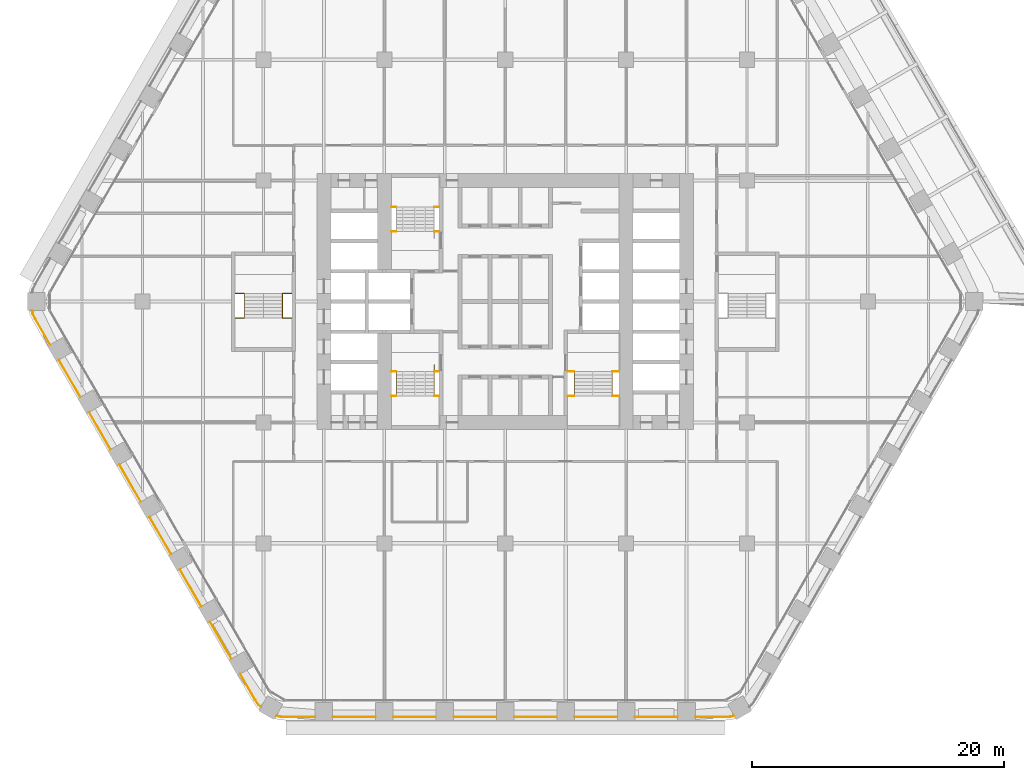
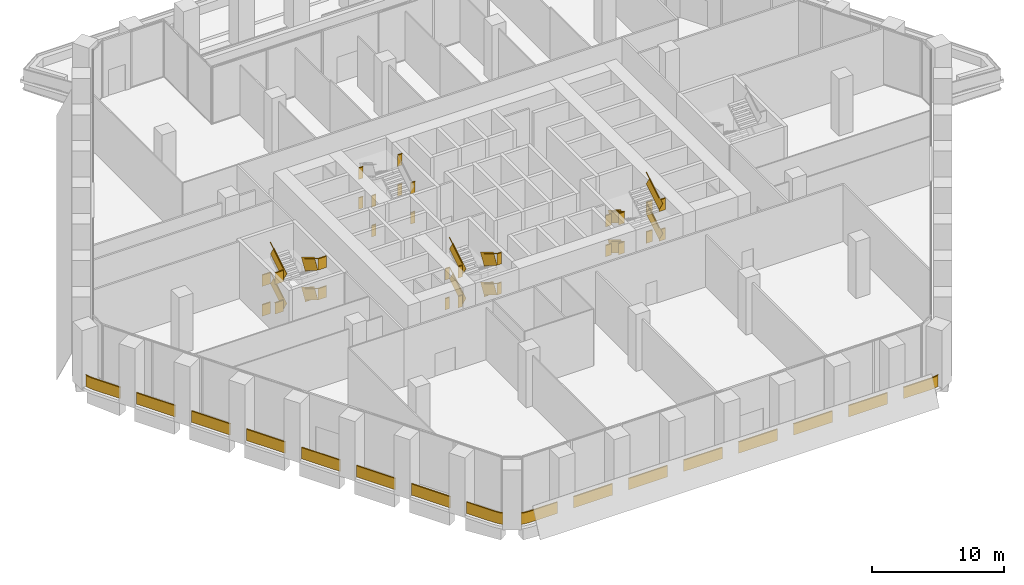
# One storey, part 28 of 30: 9 railings.
"""IFC4 building model written with IfcOpenShell, lengths in metres."""

from ifc_helpers import new_model, si_unit, direction, frame, frame_2d, origin, origin_2d, place, context, subcontext, project, spatial, rectangle, extrude, material, type_object, element, save


model = new_model("IFC4")

# Units and contexts
model_context = context("Model", 3, precision=1e-05, world=origin(), true_north=direction((0.0, 1.0)))
body_context = subcontext(model_context, "Body", "Model", "MODEL_VIEW")
ifc_project = project(units=[si_unit("LENGTHUNIT", "METRE"), si_unit("AREAUNIT", "SQUARE_METRE"), si_unit("VOLUMEUNIT", "CUBIC_METRE"), si_unit("PLANEANGLEUNIT", "RADIAN"), si_unit("MASSUNIT", "GRAM", prefix="KILO")], contexts=[model_context])

# Site, building, storey
site_placement = place(None, origin())
site = spatial("IfcSite", under=ifc_project, at=site_placement, CompositionType="ELEMENT")
building_placement = place(site_placement, origin())
building = spatial("IfcBuilding", under=site, at=building_placement, Name="Kolab Exchange Tower", CompositionType="ELEMENT")
storey_placement = place(building_placement, frame((0.0, 0.0, 38.89990234375)))
storey = spatial("IfcBuildingStorey", under=building, at=storey_placement, Name="L07", CompositionType="ELEMENT", Elevation=38.89990234375)

# Railings
ifc_material_1 = material(Name="Stainless steel 316", Category="steel")
railing_type_1 = type_object("IfcRailingType", Name="GUARD 1100", PredefinedType="GUARDRAIL", material=ifc_material_1)
railing_1_placement = place(storey_placement, frame((-9.050048828125, 5.550048828125, 0.0)))
element("IfcRailing", 1, at=railing_1_placement, inside=storey, type_object=railing_type_1, Name="Guard ST1", PredefinedType="GUARDRAIL", context=body_context, shape_type="SweptSolid", body=[
    extrude(rectangle(XDim=0.05, YDim=0.05, at=origin_2d()), frame((0.0, 0.0, 1.0751953125), z_axis=(1.0, 0.0, 0.0), x_axis=(0.0, 1.0, 0.0)), (0.0, 0.0, 1.0), 0.39013671875),
    extrude(rectangle(XDim=0.012, YDim=1.05009765625, at=frame_2d((0.0, 0.525146484375))), frame((0.0, 0.0, 0.0), z_axis=(1.0, 0.0, 0.0), x_axis=(0.0, 1.0, 0.0)), (0.0, 0.0, 1.0), 0.39013671875),
    extrude(rectangle(XDim=0.05, YDim=0.05, at=origin_2d()), frame((3.41015625, 0.0, 1.0751953125), z_axis=(1.0, 0.0, 0.0), x_axis=(0.0, 1.0, 0.0)), (0.0, 0.0, 1.0), 0.389892578125),
    extrude(rectangle(XDim=0.012, YDim=1.05009765625, at=frame_2d((0.0, 0.525146484375))), frame((3.41015625, 0.0, 0.0), z_axis=(1.0, 0.0, 0.0), x_axis=(0.0, 1.0, 0.0)), (0.0, 0.0, 1.0), 0.389892578125),
    extrude(rectangle(XDim=0.05, YDim=0.05, at=origin_2d()), frame((0.0, 1.9599609375, 2.4501953125), z_axis=(1.0, 0.0, 0.0), x_axis=(0.0, 1.0, 0.0)), (0.0, 0.0, 1.0), 0.39013671875),
    extrude(rectangle(XDim=0.012, YDim=1.05009765625, at=frame_2d((0.0, 0.525146484375))), frame((0.0, 1.9599609375, 1.375), z_axis=(1.0, 0.0, 0.0), x_axis=(0.0, 1.0, 0.0)), (0.0, 0.0, 1.0), 0.39013671875),
    extrude(rectangle(XDim=0.05, YDim=0.05, at=origin_2d()), frame((3.41015625, 1.9599609375, 2.4501953125), z_axis=(1.0, 0.0, 0.0), x_axis=(0.0, 1.0, 0.0)), (0.0, 0.0, 1.0), 0.389892578125),
    extrude(rectangle(XDim=0.012, YDim=1.05009765625, at=frame_2d((0.0, 0.525146484375))), frame((3.41015625, 1.9599609375, 1.375), z_axis=(1.0, 0.0, 0.0), x_axis=(0.0, 1.0, 0.0)), (0.0, 0.0, 1.0), 0.389892578125),
    extrude(rectangle(XDim=0.05, YDim=0.05, at=origin_2d()), frame((0.0, 0.0, 3.8251953125), z_axis=(1.0, 0.0, 0.0), x_axis=(0.0, 1.0, 0.0)), (0.0, 0.0, 1.0), 0.39013671875),
    extrude(rectangle(XDim=0.012, YDim=1.05009765625, at=frame_2d((0.0, 0.525146484375))), frame((0.0, 0.0, 2.75), z_axis=(1.0, 0.0, 0.0), x_axis=(0.0, 1.0, 0.0)), (0.0, 0.0, 1.0), 0.39013671875),
    extrude(rectangle(XDim=0.05, YDim=0.05, at=origin_2d()), frame((3.41015625, 0.0, 3.8251953125), z_axis=(1.0, 0.0, 0.0), x_axis=(0.0, 1.0, 0.0)), (0.0, 0.0, 1.0), 0.389892578125),
    extrude(rectangle(XDim=0.012, YDim=1.05009765625, at=frame_2d((0.0, 0.525146484375))), frame((3.41015625, 0.0, 2.75), z_axis=(1.0, 0.0, 0.0), x_axis=(0.0, 1.0, 0.0)), (0.0, 0.0, 1.0), 0.389892578125),
    extrude(rectangle(XDim=0.05, YDim=0.05, at=origin_2d()), frame((0.0, 1.9599609375, 5.2001953125), z_axis=(1.0, 0.0, 0.0), x_axis=(0.0, 1.0, 0.0)), (0.0, 0.0, 1.0), 0.39013671875),
    extrude(rectangle(XDim=0.012, YDim=1.05009765625, at=frame_2d((0.0, 0.525146484375))), frame((0.0, 1.9599609375, 4.125), z_axis=(1.0, 0.0, 0.0), x_axis=(0.0, 1.0, 0.0)), (0.0, 0.0, 1.0), 0.39013671875),
    extrude(rectangle(XDim=0.05, YDim=0.05, at=origin_2d()), frame((3.41015625, 1.9599609375, 5.2001953125), z_axis=(1.0, 0.0, 0.0), x_axis=(0.0, 1.0, 0.0)), (0.0, 0.0, 1.0), 0.389892578125),
    extrude(rectangle(XDim=0.012, YDim=1.05009765625, at=frame_2d((0.0, 0.525146484375))), frame((3.41015625, 1.9599609375, 4.125), z_axis=(1.0, 0.0, 0.0), x_axis=(0.0, 1.0, 0.0)), (0.0, 0.0, 1.0), 0.389892578125),
])
railing_2_placement = place(storey_placement, frame((-9.050048828125, -5.550048828125, 0.0)))
element("IfcRailing", 2, at=railing_2_placement, inside=storey, type_object=railing_type_1, Name="Guard ST3", PredefinedType="GUARDRAIL", context=body_context, shape_type="SweptSolid", body=[
    extrude(rectangle(XDim=0.05, YDim=0.05, at=origin_2d()), frame((0.0, 0.0, 1.0751953125), z_axis=(1.0, 0.0, 0.0), x_axis=(0.0, 1.0, 0.0)), (0.0, 0.0, 1.0), 0.39013671875),
    extrude(rectangle(XDim=0.012, YDim=1.05009765625, at=frame_2d((0.0, 0.525146484375))), frame((0.0, 0.0, 0.0), z_axis=(1.0, 0.0, 0.0), x_axis=(0.0, 1.0, 0.0)), (0.0, 0.0, 1.0), 0.39013671875),
    extrude(rectangle(XDim=0.05, YDim=0.05, at=origin_2d()), frame((3.41015625, 0.0, 1.0751953125), z_axis=(1.0, 0.0, 0.0), x_axis=(0.0, 1.0, 0.0)), (0.0, 0.0, 1.0), 0.389892578125),
    extrude(rectangle(XDim=0.012, YDim=1.05009765625, at=frame_2d((0.0, 0.525146484375))), frame((3.41015625, 0.0, 0.0), z_axis=(1.0, 0.0, 0.0), x_axis=(0.0, 1.0, 0.0)), (0.0, 0.0, 1.0), 0.389892578125),
    extrude(rectangle(XDim=0.05, YDim=0.05, at=origin_2d()), frame((0.0, -1.9599609375, 2.4501953125), z_axis=(1.0, 0.0, 0.0), x_axis=(0.0, 1.0, 0.0)), (0.0, 0.0, 1.0), 0.39013671875),
    extrude(rectangle(XDim=0.012, YDim=1.05009765625, at=frame_2d((0.0, 0.525146484375))), frame((0.0, -1.9599609375, 1.375), z_axis=(1.0, 0.0, 0.0), x_axis=(0.0, 1.0, 0.0)), (0.0, 0.0, 1.0), 0.39013671875),
    extrude(rectangle(XDim=0.05, YDim=0.05, at=origin_2d()), frame((3.41015625, -1.9599609375, 2.4501953125), z_axis=(1.0, 0.0, 0.0), x_axis=(0.0, 1.0, 0.0)), (0.0, 0.0, 1.0), 0.389892578125),
    extrude(rectangle(XDim=0.012, YDim=1.05009765625, at=frame_2d((0.0, 0.525146484375))), frame((3.41015625, -1.9599609375, 1.375), z_axis=(1.0, 0.0, 0.0), x_axis=(0.0, 1.0, 0.0)), (0.0, 0.0, 1.0), 0.389892578125),
    extrude(rectangle(XDim=0.05, YDim=0.05, at=origin_2d()), frame((0.0, 0.0, 3.8251953125), z_axis=(1.0, 0.0, 0.0), x_axis=(0.0, 1.0, 0.0)), (0.0, 0.0, 1.0), 0.39013671875),
    extrude(rectangle(XDim=0.012, YDim=1.05009765625, at=frame_2d((0.0, 0.525146484375))), frame((0.0, 0.0, 2.75), z_axis=(1.0, 0.0, 0.0), x_axis=(0.0, 1.0, 0.0)), (0.0, 0.0, 1.0), 0.39013671875),
    extrude(rectangle(XDim=0.05, YDim=0.05, at=origin_2d()), frame((3.41015625, 0.0, 3.8251953125), z_axis=(1.0, 0.0, 0.0), x_axis=(0.0, 1.0, 0.0)), (0.0, 0.0, 1.0), 0.389892578125),
    extrude(rectangle(XDim=0.012, YDim=1.05009765625, at=frame_2d((0.0, 0.525146484375))), frame((3.41015625, 0.0, 2.75), z_axis=(1.0, 0.0, 0.0), x_axis=(0.0, 1.0, 0.0)), (0.0, 0.0, 1.0), 0.389892578125),
    extrude(rectangle(XDim=0.05, YDim=0.05, at=origin_2d()), frame((0.0, -1.9599609375, 5.2001953125), z_axis=(1.0, 0.0, 0.0), x_axis=(0.0, 1.0, 0.0)), (0.0, 0.0, 1.0), 0.39013671875),
    extrude(rectangle(XDim=0.012, YDim=1.05009765625, at=frame_2d((0.0, 0.525146484375))), frame((0.0, -1.9599609375, 4.125), z_axis=(1.0, 0.0, 0.0), x_axis=(0.0, 1.0, 0.0)), (0.0, 0.0, 1.0), 0.39013671875),
    extrude(rectangle(XDim=0.05, YDim=0.05, at=origin_2d()), frame((3.41015625, -1.9599609375, 5.2001953125), z_axis=(1.0, 0.0, 0.0), x_axis=(0.0, 1.0, 0.0)), (0.0, 0.0, 1.0), 0.389892578125),
    extrude(rectangle(XDim=0.012, YDim=1.05009765625, at=frame_2d((0.0, 0.525146484375))), frame((3.41015625, -1.9599609375, 4.125), z_axis=(1.0, 0.0, 0.0), x_axis=(0.0, 1.0, 0.0)), (0.0, 0.0, 1.0), 0.389892578125),
])
railing_3_placement = place(storey_placement, frame((-5.639892578125, -5.550048828125, 0.172119140625)))
element("IfcRailing", 3, at=railing_3_placement, inside=storey, type_object=railing_type_1, Name="Handrail guard ST3", PredefinedType="GUARDRAIL", context=body_context, shape_type="SweptSolid", body=[
    extrude(rectangle(XDim=0.05, YDim=0.05, at=origin_2d()), frame((0.0, 0.0, 1.0751953125), z_axis=(0.0, -0.852288308005, 0.523072308613), x_axis=(1.0, 0.0, 0.0)), (0.0, 0.0, 1.0), 2.299560546875),
    extrude(rectangle(XDim=0.012, YDim=1.05009765625, at=frame_2d((0.0, 0.525146484375))), frame((0.0, 0.0, 0.0), z_axis=(0.0, -0.852288308005, 0.523072308613), x_axis=(1.0, 0.0, 0.0)), (0.0, 0.0, 1.0), 2.299560546875),
    extrude(rectangle(XDim=0.05, YDim=0.05, at=origin_2d()), frame((-3.02001953125, -1.9599609375, 2.4501953125), z_axis=(0.0, 0.852288308005, 0.523072308613), x_axis=(-1.0, 0.0, 0.0)), (0.0, 0.0, 1.0), 2.299560546875),
    extrude(rectangle(XDim=0.012, YDim=1.05009765625, at=frame_2d((0.0, 0.525146484375))), frame((-3.02001953125, -1.9599609375, 1.375), z_axis=(0.0, 0.852288308005, 0.523072308613), x_axis=(-1.0, 0.0, 0.0)), (0.0, 0.0, 1.0), 2.299560546875),
    extrude(rectangle(XDim=0.05, YDim=0.05, at=origin_2d()), frame((0.0, 0.0, 3.8251953125), z_axis=(0.0, -0.852288308005, 0.523072308613), x_axis=(1.0, 0.0, 0.0)), (0.0, 0.0, 1.0), 2.299560546875),
    extrude(rectangle(XDim=0.012, YDim=1.05009765625, at=frame_2d((0.0, 0.525146484375))), frame((0.0, 0.0, 2.75), z_axis=(0.0, -0.852288308005, 0.523072308613), x_axis=(1.0, 0.0, 0.0)), (0.0, 0.0, 1.0), 2.299560546875),
    extrude(rectangle(XDim=0.05, YDim=0.05, at=origin_2d()), frame((-3.02001953125, -1.9599609375, 5.2001953125), z_axis=(0.0, 0.852288308005, 0.523072308613), x_axis=(-1.0, 0.0, 0.0)), (0.0, 0.0, 1.0), 2.299560546875),
    extrude(rectangle(XDim=0.012, YDim=1.05009765625, at=frame_2d((0.0, 0.525146484375))), frame((-3.02001953125, -1.9599609375, 4.125), z_axis=(0.0, 0.852288308005, 0.523072308613), x_axis=(-1.0, 0.0, 0.0)), (0.0, 0.0, 1.0), 2.299560546875),
])
railing_4_placement = place(storey_placement, frame((4.949951171875, -5.550048828125, 0.0)))
element("IfcRailing", 4, at=railing_4_placement, inside=storey, type_object=railing_type_1, Name="Guard ST2", PredefinedType="GUARDRAIL", context=body_context, shape_type="SweptSolid", body=[
    extrude(rectangle(XDim=0.05, YDim=0.05, at=origin_2d()), frame((0.0, 0.0, 1.0751953125), z_axis=(1.0, 0.0, 0.0), x_axis=(0.0, 1.0, 0.0)), (0.0, 0.0, 1.0), 0.5400390625),
    extrude(rectangle(XDim=0.012, YDim=1.05009765625, at=frame_2d((0.0, 0.525146484375))), frame((0.0, 0.0, 0.0), z_axis=(1.0, 0.0, 0.0), x_axis=(0.0, 1.0, 0.0)), (0.0, 0.0, 1.0), 0.5400390625),
    extrude(rectangle(XDim=0.05, YDim=0.05, at=origin_2d()), frame((3.56005859375, 0.0, 1.0751953125), z_axis=(1.0, 0.0, 0.0), x_axis=(0.0, 1.0, 0.0)), (0.0, 0.0, 1.0), 0.5400390625),
    extrude(rectangle(XDim=0.012, YDim=1.05009765625, at=frame_2d((0.0, 0.525146484375))), frame((3.56005859375, 0.0, 0.0), z_axis=(1.0, 0.0, 0.0), x_axis=(0.0, 1.0, 0.0)), (0.0, 0.0, 1.0), 0.5400390625),
    extrude(rectangle(XDim=0.05, YDim=0.05, at=origin_2d()), frame((0.0, -1.9599609375, 2.4501953125), z_axis=(1.0, 0.0, 0.0), x_axis=(0.0, 1.0, 0.0)), (0.0, 0.0, 1.0), 0.5400390625),
    extrude(rectangle(XDim=0.012, YDim=1.05009765625, at=frame_2d((0.0, 0.525146484375))), frame((0.0, -1.9599609375, 1.375), z_axis=(1.0, 0.0, 0.0), x_axis=(0.0, 1.0, 0.0)), (0.0, 0.0, 1.0), 0.5400390625),
    extrude(rectangle(XDim=0.05, YDim=0.05, at=origin_2d()), frame((3.56005859375, -1.9599609375, 2.4501953125), z_axis=(1.0, 0.0, 0.0), x_axis=(0.0, 1.0, 0.0)), (0.0, 0.0, 1.0), 0.5400390625),
    extrude(rectangle(XDim=0.012, YDim=1.05009765625, at=frame_2d((0.0, 0.525146484375))), frame((3.56005859375, -1.9599609375, 1.375), z_axis=(1.0, 0.0, 0.0), x_axis=(0.0, 1.0, 0.0)), (0.0, 0.0, 1.0), 0.5400390625),
    extrude(rectangle(XDim=0.05, YDim=0.05, at=origin_2d()), frame((0.0, 0.0, 3.8251953125), z_axis=(1.0, 0.0, 0.0), x_axis=(0.0, 1.0, 0.0)), (0.0, 0.0, 1.0), 0.5400390625),
    extrude(rectangle(XDim=0.012, YDim=1.05009765625, at=frame_2d((0.0, 0.525146484375))), frame((0.0, 0.0, 2.75), z_axis=(1.0, 0.0, 0.0), x_axis=(0.0, 1.0, 0.0)), (0.0, 0.0, 1.0), 0.5400390625),
    extrude(rectangle(XDim=0.05, YDim=0.05, at=origin_2d()), frame((3.56005859375, 0.0, 3.8251953125), z_axis=(1.0, 0.0, 0.0), x_axis=(0.0, 1.0, 0.0)), (0.0, 0.0, 1.0), 0.5400390625),
    extrude(rectangle(XDim=0.012, YDim=1.05009765625, at=frame_2d((0.0, 0.525146484375))), frame((3.56005859375, 0.0, 2.75), z_axis=(1.0, 0.0, 0.0), x_axis=(0.0, 1.0, 0.0)), (0.0, 0.0, 1.0), 0.5400390625),
    extrude(rectangle(XDim=0.05, YDim=0.05, at=origin_2d()), frame((0.0, -1.9599609375, 5.2001953125), z_axis=(1.0, 0.0, 0.0), x_axis=(0.0, 1.0, 0.0)), (0.0, 0.0, 1.0), 0.5400390625),
    extrude(rectangle(XDim=0.012, YDim=1.05009765625, at=frame_2d((0.0, 0.525146484375))), frame((0.0, -1.9599609375, 4.125), z_axis=(1.0, 0.0, 0.0), x_axis=(0.0, 1.0, 0.0)), (0.0, 0.0, 1.0), 0.5400390625),
    extrude(rectangle(XDim=0.05, YDim=0.05, at=origin_2d()), frame((3.56005859375, -1.9599609375, 5.2001953125), z_axis=(1.0, 0.0, 0.0), x_axis=(0.0, 1.0, 0.0)), (0.0, 0.0, 1.0), 0.5400390625),
    extrude(rectangle(XDim=0.012, YDim=1.05009765625, at=frame_2d((0.0, 0.525146484375))), frame((3.56005859375, -1.9599609375, 4.125), z_axis=(1.0, 0.0, 0.0), x_axis=(0.0, 1.0, 0.0)), (0.0, 0.0, 1.0), 0.5400390625),
])
railing_5_placement = place(storey_placement, frame((5.489990234375, -5.550048828125, 0.172119140625)))
element("IfcRailing", 5, at=railing_5_placement, inside=storey, type_object=railing_type_1, Name="Handrail guard ST2", PredefinedType="GUARDRAIL", context=body_context, shape_type="SweptSolid", body=[
    extrude(rectangle(XDim=0.05, YDim=0.05, at=origin_2d()), frame((0.0, 0.0, 1.0751953125), z_axis=(0.0, -0.852288308005, 0.523072308613), x_axis=(1.0, 0.0, 0.0)), (0.0, 0.0, 1.0), 2.299560546875),
    extrude(rectangle(XDim=0.012, YDim=1.05009765625, at=frame_2d((0.0, 0.525146484375))), frame((0.0, 0.0, 0.0), z_axis=(0.0, -0.852288308005, 0.523072308613), x_axis=(1.0, 0.0, 0.0)), (0.0, 0.0, 1.0), 2.299560546875),
    extrude(rectangle(XDim=0.05, YDim=0.05, at=origin_2d()), frame((3.02001953125, -1.9599609375, 2.4501953125), z_axis=(0.0, 0.852288308005, 0.523072308613), x_axis=(-1.0, 0.0, 0.0)), (0.0, 0.0, 1.0), 2.299560546875),
    extrude(rectangle(XDim=0.012, YDim=1.05009765625, at=frame_2d((0.0, 0.525146484375))), frame((3.02001953125, -1.9599609375, 1.375), z_axis=(0.0, 0.852288308005, 0.523072308613), x_axis=(-1.0, 0.0, 0.0)), (0.0, 0.0, 1.0), 2.299560546875),
    extrude(rectangle(XDim=0.05, YDim=0.05, at=origin_2d()), frame((0.0, 0.0, 3.8251953125), z_axis=(0.0, -0.852288308005, 0.523072308613), x_axis=(1.0, 0.0, 0.0)), (0.0, 0.0, 1.0), 2.299560546875),
    extrude(rectangle(XDim=0.012, YDim=1.05009765625, at=frame_2d((0.0, 0.525146484375))), frame((0.0, 0.0, 2.75), z_axis=(0.0, -0.852288308005, 0.523072308613), x_axis=(1.0, 0.0, 0.0)), (0.0, 0.0, 1.0), 2.299560546875),
    extrude(rectangle(XDim=0.05, YDim=0.05, at=origin_2d()), frame((3.02001953125, -1.9599609375, 5.2001953125), z_axis=(0.0, 0.852288308005, 0.523072308613), x_axis=(-1.0, 0.0, 0.0)), (0.0, 0.0, 1.0), 2.299560546875),
    extrude(rectangle(XDim=0.012, YDim=1.05009765625, at=frame_2d((0.0, 0.525146484375))), frame((3.02001953125, -1.9599609375, 4.125), z_axis=(0.0, 0.852288308005, 0.523072308613), x_axis=(-1.0, 0.0, 0.0)), (0.0, 0.0, 1.0), 2.299560546875),
])
railing_6_placement = place(storey_placement, frame((-21.449951171875, 0.64990234375, 0.0)))
element("IfcRailing", 6, at=railing_6_placement, inside=storey, type_object=railing_type_1, Name="Guard ST5", PredefinedType="GUARDRAIL", context=body_context, shape_type="SweptSolid", body=[
    extrude(rectangle(XDim=0.05, YDim=0.05, at=origin_2d()), frame((0.0, 0.0, 1.0751953125), z_axis=(1.0, 0.0, 0.0), x_axis=(0.0, 1.0, 0.0)), (0.0, 0.0, 1.0), 0.739990234375),
    extrude(rectangle(XDim=0.012, YDim=1.05009765625, at=frame_2d((0.0, 0.525146484375))), frame((0.0, 0.0, 0.0), z_axis=(1.0, 0.0, 0.0), x_axis=(0.0, 1.0, 0.0)), (0.0, 0.0, 1.0), 0.739990234375),
    extrude(rectangle(XDim=0.05, YDim=0.05, at=origin_2d()), frame((3.760009765625, 0.0, 1.0751953125), z_axis=(1.0, 0.0, 0.0), x_axis=(0.0, 1.0, 0.0)), (0.0, 0.0, 1.0), 0.739990234375),
    extrude(rectangle(XDim=0.012, YDim=1.05009765625, at=frame_2d((0.0, 0.525146484375))), frame((3.760009765625, 0.0, 0.0), z_axis=(1.0, 0.0, 0.0), x_axis=(0.0, 1.0, 0.0)), (0.0, 0.0, 1.0), 0.739990234375),
    extrude(rectangle(XDim=0.05, YDim=0.05, at=origin_2d()), frame((0.0, -1.9599609375, 2.4501953125), z_axis=(1.0, 0.0, 0.0), x_axis=(0.0, 1.0, 0.0)), (0.0, 0.0, 1.0), 0.739990234375),
    extrude(rectangle(XDim=0.012, YDim=1.05009765625, at=frame_2d((0.0, 0.525146484375))), frame((0.0, -1.9599609375, 1.375), z_axis=(1.0, 0.0, 0.0), x_axis=(0.0, 1.0, 0.0)), (0.0, 0.0, 1.0), 0.739990234375),
    extrude(rectangle(XDim=0.05, YDim=0.05, at=origin_2d()), frame((3.760009765625, -1.9599609375, 2.4501953125), z_axis=(1.0, 0.0, 0.0), x_axis=(0.0, 1.0, 0.0)), (0.0, 0.0, 1.0), 0.739990234375),
    extrude(rectangle(XDim=0.012, YDim=1.05009765625, at=frame_2d((0.0, 0.525146484375))), frame((3.760009765625, -1.9599609375, 1.375), z_axis=(1.0, 0.0, 0.0), x_axis=(0.0, 1.0, 0.0)), (0.0, 0.0, 1.0), 0.739990234375),
    extrude(rectangle(XDim=0.05, YDim=0.05, at=origin_2d()), frame((0.0, 0.0, 3.8251953125), z_axis=(1.0, 0.0, 0.0), x_axis=(0.0, 1.0, 0.0)), (0.0, 0.0, 1.0), 0.739990234375),
    extrude(rectangle(XDim=0.012, YDim=1.05009765625, at=frame_2d((0.0, 0.525146484375))), frame((0.0, 0.0, 2.75), z_axis=(1.0, 0.0, 0.0), x_axis=(0.0, 1.0, 0.0)), (0.0, 0.0, 1.0), 0.739990234375),
    extrude(rectangle(XDim=0.05, YDim=0.05, at=origin_2d()), frame((3.760009765625, 0.0, 3.8251953125), z_axis=(1.0, 0.0, 0.0), x_axis=(0.0, 1.0, 0.0)), (0.0, 0.0, 1.0), 0.739990234375),
    extrude(rectangle(XDim=0.012, YDim=1.05009765625, at=frame_2d((0.0, 0.525146484375))), frame((3.760009765625, 0.0, 2.75), z_axis=(1.0, 0.0, 0.0), x_axis=(0.0, 1.0, 0.0)), (0.0, 0.0, 1.0), 0.739990234375),
    extrude(rectangle(XDim=0.05, YDim=0.05, at=origin_2d()), frame((0.0, -1.9599609375, 5.2001953125), z_axis=(1.0, 0.0, 0.0), x_axis=(0.0, 1.0, 0.0)), (0.0, 0.0, 1.0), 0.739990234375),
    extrude(rectangle(XDim=0.012, YDim=1.05009765625, at=frame_2d((0.0, 0.525146484375))), frame((0.0, -1.9599609375, 4.125), z_axis=(1.0, 0.0, 0.0), x_axis=(0.0, 1.0, 0.0)), (0.0, 0.0, 1.0), 0.739990234375),
    extrude(rectangle(XDim=0.05, YDim=0.05, at=origin_2d()), frame((3.760009765625, -1.9599609375, 5.2001953125), z_axis=(1.0, 0.0, 0.0), x_axis=(0.0, 1.0, 0.0)), (0.0, 0.0, 1.0), 0.739990234375),
    extrude(rectangle(XDim=0.012, YDim=1.05009765625, at=frame_2d((0.0, 0.525146484375))), frame((3.760009765625, -1.9599609375, 4.125), z_axis=(1.0, 0.0, 0.0), x_axis=(0.0, 1.0, 0.0)), (0.0, 0.0, 1.0), 0.739990234375),
])
railing_7_placement = place(storey_placement, frame((-17.68994140625, 0.64990234375, 0.172119140625)))
element("IfcRailing", 7, at=railing_7_placement, inside=storey, type_object=railing_type_1, Name="Handrail guard ST5", PredefinedType="GUARDRAIL", context=body_context, shape_type="SweptSolid", body=[
    extrude(rectangle(XDim=0.05, YDim=0.05, at=origin_2d()), frame((0.0, 0.0, 1.0751953125), z_axis=(0.0, -0.852288308005, 0.523072308613), x_axis=(1.0, 0.0, 0.0)), (0.0, 0.0, 1.0), 2.299560546875),
    extrude(rectangle(XDim=0.012, YDim=1.05009765625, at=frame_2d((0.0, 0.525146484375))), frame((0.0, 0.0, 0.0), z_axis=(0.0, -0.852288308005, 0.523072308613), x_axis=(1.0, 0.0, 0.0)), (0.0, 0.0, 1.0), 2.299560546875),
    extrude(rectangle(XDim=0.05, YDim=0.05, at=origin_2d()), frame((-3.02001953125, -1.9599609375, 2.4501953125), z_axis=(0.0, 0.852288308005, 0.523072308613), x_axis=(-1.0, 0.0, 0.0)), (0.0, 0.0, 1.0), 2.299560546875),
    extrude(rectangle(XDim=0.012, YDim=1.05009765625, at=frame_2d((0.0, 0.525146484375))), frame((-3.02001953125, -1.9599609375, 1.375), z_axis=(0.0, 0.852288308005, 0.523072308613), x_axis=(-1.0, 0.0, 0.0)), (0.0, 0.0, 1.0), 2.299560546875),
    extrude(rectangle(XDim=0.05, YDim=0.05, at=origin_2d()), frame((0.0, 0.0, 3.8251953125), z_axis=(0.0, -0.852288308005, 0.523072308613), x_axis=(1.0, 0.0, 0.0)), (0.0, 0.0, 1.0), 2.299560546875),
    extrude(rectangle(XDim=0.012, YDim=1.05009765625, at=frame_2d((0.0, 0.525146484375))), frame((0.0, 0.0, 2.75), z_axis=(0.0, -0.852288308005, 0.523072308613), x_axis=(1.0, 0.0, 0.0)), (0.0, 0.0, 1.0), 2.299560546875),
    extrude(rectangle(XDim=0.05, YDim=0.05, at=origin_2d()), frame((-3.02001953125, -1.9599609375, 5.2001953125), z_axis=(0.0, 0.852288308005, 0.523072308613), x_axis=(-1.0, 0.0, 0.0)), (0.0, 0.0, 1.0), 2.299560546875),
    extrude(rectangle(XDim=0.012, YDim=1.05009765625, at=frame_2d((0.0, 0.525146484375))), frame((-3.02001953125, -1.9599609375, 4.125), z_axis=(0.0, 0.852288308005, 0.523072308613), x_axis=(-1.0, 0.0, 0.0)), (0.0, 0.0, 1.0), 2.299560546875),
])
ifc_material_2 = material(Name="Steel S235", Category="steel")
railing_type_2 = type_object("IfcRailingType", Name="GUARD 1100 GLASS BALUSTRADE AND STEEL TOP RAIL", PredefinedType="GUARDRAIL", material=ifc_material_2)
railing_8_placement = place(storey_placement, frame((-18.1953125, -32.896728515625, 0.0)))
element("IfcRailing", 8, at=railing_8_placement, inside=storey, type_object=railing_type_2, Name="Guard", PredefinedType="GUARDRAIL", context=body_context, shape_type="SweptSolid", body=[
    extrude(rectangle(XDim=0.05, YDim=0.05, at=origin_2d()), frame((0.0, 0.0, 1.0751953125), z_axis=(0.965952265455, -0.258720352624, 0.0), x_axis=(0.258720352624, 0.965952265455, 0.0)), (0.0, 0.0, 1.0), 0.258544921875),
    extrude(rectangle(XDim=0.012, YDim=1.05009765625, at=frame_2d((0.0, 0.525146484375))), frame((0.0, 0.0, 0.0), z_axis=(0.965952265455, -0.258720352624, 0.0), x_axis=(0.258720352624, 0.965952265455, 0.0)), (0.0, 0.0, 1.0), 0.258544921875),
    extrude(rectangle(XDim=0.05, YDim=0.05, at=origin_2d()), frame((0.249755859375, -0.06689453125, 1.0751953125), z_axis=(0.996200348447, -0.087091134757, 0.0), x_axis=(0.087091134757, 0.996200348447, 0.0)), (0.0, 0.0, 1.0), 0.479248046875),
    extrude(rectangle(XDim=0.012, YDim=1.05009765625, at=frame_2d((0.0, 0.525146484375))), frame((0.249755859375, -0.06689453125, 0.0), z_axis=(0.996200348447, -0.087091134757, 0.0), x_axis=(0.087091134757, 0.996200348447, 0.0)), (0.0, 0.0, 1.0), 0.479248046875),
    extrude(rectangle(XDim=0.05, YDim=0.05, at=origin_2d()), frame((0.727294921875, -0.108642578125, 1.0751953125), z_axis=(1.0, 0.0, 0.0), x_axis=(0.0, 1.0, 0.0)), (0.0, 0.0, 1.0), 2.367919921875),
    extrude(rectangle(XDim=0.012, YDim=1.05009765625, at=frame_2d((0.0, 0.525146484375))), frame((0.727294921875, -0.108642578125, 0.0), z_axis=(1.0, 0.0, 0.0), x_axis=(0.0, 1.0, 0.0)), (0.0, 0.0, 1.0), 2.367919921875),
    extrude(rectangle(XDim=0.05, YDim=0.05, at=origin_2d()), frame((4.495361328125, -0.108642578125, 1.0751953125), z_axis=(1.0, 0.0, 0.0), x_axis=(0.0, 1.0, 0.0)), (0.0, 0.0, 1.0), 3.39990234375),
    extrude(rectangle(XDim=0.012, YDim=1.05009765625, at=frame_2d((0.0, 0.525146484375))), frame((4.495361328125, -0.108642578125, 0.0), z_axis=(1.0, 0.0, 0.0), x_axis=(0.0, 1.0, 0.0)), (0.0, 0.0, 1.0), 3.39990234375),
    extrude(rectangle(XDim=0.05, YDim=0.05, at=origin_2d()), frame((9.29541015625, -0.108642578125, 1.0751953125), z_axis=(1.0, 0.0, 0.0), x_axis=(0.0, 1.0, 0.0)), (0.0, 0.0, 1.0), 3.39990234375),
    extrude(rectangle(XDim=0.012, YDim=1.05009765625, at=frame_2d((0.0, 0.525146484375))), frame((9.29541015625, -0.108642578125, 0.0), z_axis=(1.0, 0.0, 0.0), x_axis=(0.0, 1.0, 0.0)), (0.0, 0.0, 1.0), 3.39990234375),
    extrude(rectangle(XDim=0.05, YDim=0.05, at=origin_2d()), frame((14.09521484375, -0.108642578125, 1.0751953125), z_axis=(1.0, 0.0, 0.0), x_axis=(0.0, 1.0, 0.0)), (0.0, 0.0, 1.0), 3.400146484375),
    extrude(rectangle(XDim=0.012, YDim=1.05009765625, at=frame_2d((0.0, 0.525146484375))), frame((14.09521484375, -0.108642578125, 0.0), z_axis=(1.0, 0.0, 0.0), x_axis=(0.0, 1.0, 0.0)), (0.0, 0.0, 1.0), 3.400146484375),
    extrude(rectangle(XDim=0.05, YDim=0.05, at=origin_2d()), frame((18.895263671875, -0.108642578125, 1.0751953125), z_axis=(1.0, 0.0, 0.0), x_axis=(0.0, 1.0, 0.0)), (0.0, 0.0, 1.0), 3.400146484375),
    extrude(rectangle(XDim=0.012, YDim=1.05009765625, at=frame_2d((0.0, 0.525146484375))), frame((18.895263671875, -0.108642578125, 0.0), z_axis=(1.0, 0.0, 0.0), x_axis=(0.0, 1.0, 0.0)), (0.0, 0.0, 1.0), 3.400146484375),
    extrude(rectangle(XDim=0.05, YDim=0.05, at=origin_2d()), frame((23.6953125, -0.108642578125, 1.0751953125), z_axis=(1.0, 0.0, 0.0), x_axis=(0.0, 1.0, 0.0)), (0.0, 0.0, 1.0), 3.39990234375),
    extrude(rectangle(XDim=0.012, YDim=1.05009765625, at=frame_2d((0.0, 0.525146484375))), frame((23.6953125, -0.108642578125, 0.0), z_axis=(1.0, 0.0, 0.0), x_axis=(0.0, 1.0, 0.0)), (0.0, 0.0, 1.0), 3.39990234375),
    extrude(rectangle(XDim=0.05, YDim=0.05, at=origin_2d()), frame((28.495361328125, -0.108642578125, 1.0751953125), z_axis=(1.0, 0.0, 0.0), x_axis=(0.0, 1.0, 0.0)), (0.0, 0.0, 1.0), 3.39990234375),
    extrude(rectangle(XDim=0.012, YDim=1.05009765625, at=frame_2d((0.0, 0.525146484375))), frame((28.495361328125, -0.108642578125, 0.0), z_axis=(1.0, 0.0, 0.0), x_axis=(0.0, 1.0, 0.0)), (0.0, 0.0, 1.0), 3.39990234375),
    extrude(rectangle(XDim=0.05, YDim=0.05, at=origin_2d()), frame((33.29541015625, -0.108642578125, 1.0751953125), z_axis=(1.0, 0.0, 0.0), x_axis=(0.0, 1.0, 0.0)), (0.0, 0.0, 1.0), 2.367919921875),
    extrude(rectangle(XDim=0.012, YDim=1.05009765625, at=frame_2d((0.0, 0.525146484375))), frame((33.29541015625, -0.108642578125, 0.0), z_axis=(1.0, 0.0, 0.0), x_axis=(0.0, 1.0, 0.0)), (0.0, 0.0, 1.0), 2.367919921875),
    extrude(rectangle(XDim=0.05, YDim=0.05, at=origin_2d()), frame((35.663330078125, -0.108642578125, 1.0751953125), z_axis=(0.996200348447, 0.087091134757, 0.0), x_axis=(-0.087091134757, 0.996200348447, 0.0)), (0.0, 0.0, 1.0), 0.479248046875),
    extrude(rectangle(XDim=0.012, YDim=1.05009765625, at=frame_2d((0.0, 0.525146484375))), frame((35.663330078125, -0.108642578125, 0.0), z_axis=(0.996200348447, 0.087091134757, 0.0), x_axis=(-0.087091134757, 0.996200348447, 0.0)), (0.0, 0.0, 1.0), 0.479248046875),
    extrude(rectangle(XDim=0.05, YDim=0.05, at=origin_2d()), frame((36.140869140625, -0.06689453125, 1.0751953125), z_axis=(0.965952265455, 0.258720352624, 0.0), x_axis=(-0.258720352624, 0.965952265455, 0.0)), (0.0, 0.0, 1.0), 0.258544921875),
    extrude(rectangle(XDim=0.012, YDim=1.05009765625, at=frame_2d((0.0, 0.525146484375))), frame((36.140869140625, -0.06689453125, 0.0), z_axis=(0.965952265455, 0.258720352624, 0.0), x_axis=(-0.258720352624, 0.965952265455, 0.0)), (0.0, 0.0, 1.0), 0.258544921875),
])
railing_9_placement = place(storey_placement, frame((-37.5869140625, -0.690673828125, 0.0)))
element("IfcRailing", 9, at=railing_9_placement, inside=storey, type_object=railing_type_2, Name="Guard", PredefinedType="GUARDRAIL", context=body_context, shape_type="SweptSolid", body=[
    extrude(rectangle(XDim=0.05, YDim=0.05, at=origin_2d()), frame((0.0, 0.0, 1.0751953125), z_axis=(0.258484584798, -0.966015382601, 0.0), x_axis=(0.966015382601, 0.258484584798, 0.0)), (0.0, 0.0, 1.0), 0.2587890625),
    extrude(rectangle(XDim=0.012, YDim=1.05009765625, at=frame_2d((0.0, 0.525146484375))), frame((0.0, 0.0, 0.0), z_axis=(0.258484584798, -0.966015382601, 0.0), x_axis=(0.966015382601, 0.258484584798, 0.0)), (0.0, 0.0, 1.0), 0.2587890625),
    extrude(rectangle(XDim=0.05, YDim=0.05, at=origin_2d()), frame((0.06689453125, -0.25, 1.0751953125), z_axis=(0.422801802984, -0.906222177721, 0.0), x_axis=(0.906222177721, 0.422801802984, 0.0)), (0.0, 0.0, 1.0), 0.479248046875),
    extrude(rectangle(XDim=0.012, YDim=1.05009765625, at=frame_2d((0.0, 0.525146484375))), frame((0.06689453125, -0.25, 0.0), z_axis=(0.422801802984, -0.906222177721, 0.0), x_axis=(0.906222177721, 0.422801802984, 0.0)), (0.0, 0.0, 1.0), 0.479248046875),
    extrude(rectangle(XDim=0.05, YDim=0.05, at=origin_2d()), frame((0.26953125, -0.684326171875, 1.0751953125), z_axis=(0.499942602326, -0.866058539811, 0.0), x_axis=(0.866058539811, 0.499942602326, 0.0)), (0.0, 0.0, 1.0), 2.367919921875),
    extrude(rectangle(XDim=0.012, YDim=1.05009765625, at=frame_2d((0.0, 0.525146484375))), frame((0.26953125, -0.684326171875, 0.0), z_axis=(0.499942602326, -0.866058539811, 0.0), x_axis=(0.866058539811, 0.499942602326, 0.0)), (0.0, 0.0, 1.0), 2.367919921875),
    extrude(rectangle(XDim=0.05, YDim=0.05, at=origin_2d()), frame((2.1533203125, -3.947509765625, 1.0751953125), z_axis=(0.500062241894, -0.865989465428, 0.0), x_axis=(0.865989465428, 0.500062241894, 0.0)), (0.0, 0.0, 1.0), 3.39990234375),
    extrude(rectangle(XDim=0.012, YDim=1.05009765625, at=frame_2d((0.0, 0.525146484375))), frame((2.1533203125, -3.947509765625, 0.0), z_axis=(0.500062241894, -0.865989465428, 0.0), x_axis=(0.865989465428, 0.500062241894, 0.0)), (0.0, 0.0, 1.0), 3.39990234375),
    extrude(rectangle(XDim=0.05, YDim=0.05, at=origin_2d()), frame((4.553466796875, -8.1044921875, 1.0751953125), z_axis=(0.500008388397, -0.866020560687, 0.0), x_axis=(0.866020560687, 0.500008388397, 0.0)), (0.0, 0.0, 1.0), 3.39990234375),
    extrude(rectangle(XDim=0.012, YDim=1.05009765625, at=frame_2d((0.0, 0.525146484375))), frame((4.553466796875, -8.1044921875, 0.0), z_axis=(0.500008388397, -0.866020560687, 0.0), x_axis=(0.866020560687, 0.500008388397, 0.0)), (0.0, 0.0, 1.0), 3.39990234375),
    extrude(rectangle(XDim=0.05, YDim=0.05, at=origin_2d()), frame((6.953369140625, -12.26123046875, 1.0751953125), z_axis=(0.499977295307, -0.866038511948, 0.0), x_axis=(0.866038511948, 0.499977295307, 0.0)), (0.0, 0.0, 1.0), 3.400146484375),
    extrude(rectangle(XDim=0.012, YDim=1.05009765625, at=frame_2d((0.0, 0.525146484375))), frame((6.953369140625, -12.26123046875, 0.0), z_axis=(0.499977295307, -0.866038511948, 0.0), x_axis=(0.866038511948, 0.499977295307, 0.0)), (0.0, 0.0, 1.0), 3.400146484375),
    extrude(rectangle(XDim=0.05, YDim=0.05, at=origin_2d()), frame((9.353515625, -16.418212890625, 1.0751953125), z_axis=(0.499977295307, -0.866038511948, 0.0), x_axis=(0.866038511948, 0.499977295307, 0.0)), (0.0, 0.0, 1.0), 3.400146484375),
    extrude(rectangle(XDim=0.012, YDim=1.05009765625, at=frame_2d((0.0, 0.525146484375))), frame((9.353515625, -16.418212890625, 0.0), z_axis=(0.499977295307, -0.866038511948, 0.0), x_axis=(0.866038511948, 0.499977295307, 0.0)), (0.0, 0.0, 1.0), 3.400146484375),
    extrude(rectangle(XDim=0.05, YDim=0.05, at=origin_2d()), frame((11.75341796875, -20.5751953125, 1.0751953125), z_axis=(0.500008388397, -0.866020560687, 0.0), x_axis=(0.866020560687, 0.500008388397, 0.0)), (0.0, 0.0, 1.0), 3.39990234375),
    extrude(rectangle(XDim=0.012, YDim=1.05009765625, at=frame_2d((0.0, 0.525146484375))), frame((11.75341796875, -20.5751953125, 0.0), z_axis=(0.500008388397, -0.866020560687, 0.0), x_axis=(0.866020560687, 0.500008388397, 0.0)), (0.0, 0.0, 1.0), 3.39990234375),
    extrude(rectangle(XDim=0.05, YDim=0.05, at=origin_2d()), frame((14.1533203125, -24.732177734375, 1.0751953125), z_axis=(0.500062241894, -0.865989465428, 0.0), x_axis=(0.865989465428, 0.500062241894, 0.0)), (0.0, 0.0, 1.0), 3.39990234375),
    extrude(rectangle(XDim=0.012, YDim=1.05009765625, at=frame_2d((0.0, 0.525146484375))), frame((14.1533203125, -24.732177734375, 0.0), z_axis=(0.500062241894, -0.865989465428, 0.0), x_axis=(0.865989465428, 0.500062241894, 0.0)), (0.0, 0.0, 1.0), 3.39990234375),
    extrude(rectangle(XDim=0.05, YDim=0.05, at=origin_2d()), frame((16.553466796875, -28.888916015625, 1.0751953125), z_axis=(0.499942602326, -0.866058539811, 0.0), x_axis=(0.866058539811, 0.499942602326, 0.0)), (0.0, 0.0, 1.0), 2.367919921875),
    extrude(rectangle(XDim=0.012, YDim=1.05009765625, at=frame_2d((0.0, 0.525146484375))), frame((16.553466796875, -28.888916015625, 0.0), z_axis=(0.499942602326, -0.866058539811, 0.0), x_axis=(0.866058539811, 0.499942602326, 0.0)), (0.0, 0.0, 1.0), 2.367919921875),
    extrude(rectangle(XDim=0.05, YDim=0.05, at=origin_2d()), frame((17.7373046875, -30.939697265625, 1.0751953125), z_axis=(0.573940749815, -0.818896828485, 0.0), x_axis=(0.818896828485, 0.573940749815, 0.0)), (0.0, 0.0, 1.0), 0.4794921875),
    extrude(rectangle(XDim=0.012, YDim=1.05009765625, at=frame_2d((0.0, 0.525146484375))), frame((17.7373046875, -30.939697265625, 0.0), z_axis=(0.573940749815, -0.818896828485, 0.0), x_axis=(0.818896828485, 0.573940749815, 0.0)), (0.0, 0.0, 1.0), 0.4794921875),
    extrude(rectangle(XDim=0.05, YDim=0.05, at=origin_2d()), frame((18.012451171875, -31.332275390625, 1.0751953125), z_axis=(0.706634904947, -0.707578342737, 0.0), x_axis=(0.707578342737, 0.706634904947, 0.0)), (0.0, 0.0, 1.0), 0.2587890625),
    extrude(rectangle(XDim=0.012, YDim=1.05009765625, at=frame_2d((0.0, 0.525146484375))), frame((18.012451171875, -31.332275390625, 0.0), z_axis=(0.706634904947, -0.707578342737, 0.0), x_axis=(0.707578342737, 0.706634904947, 0.0)), (0.0, 0.0, 1.0), 0.2587890625),
])

save(model, "model.ifc")
